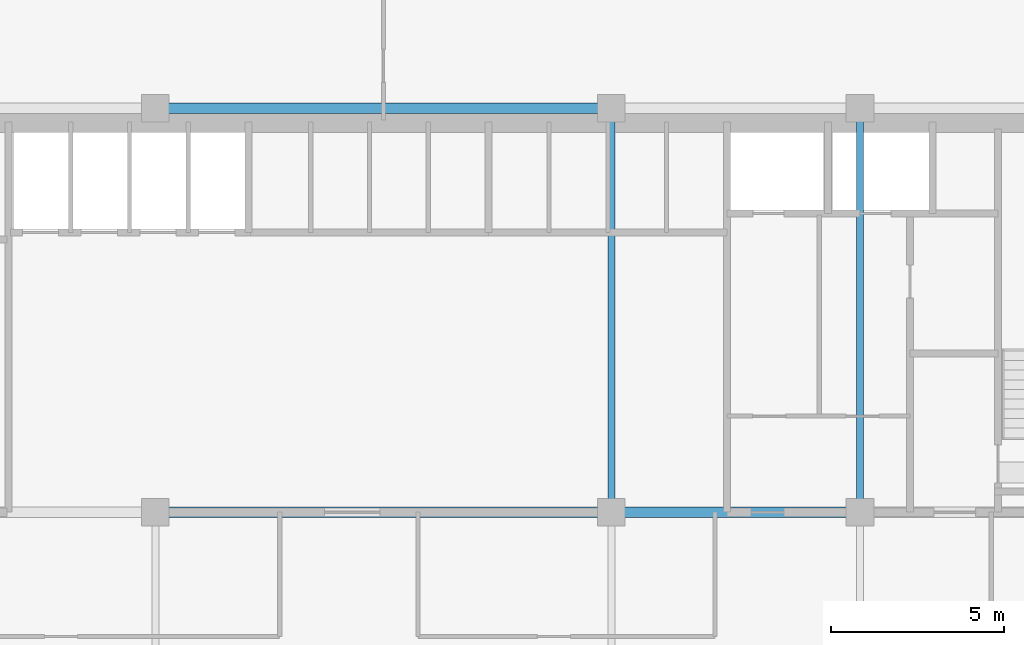
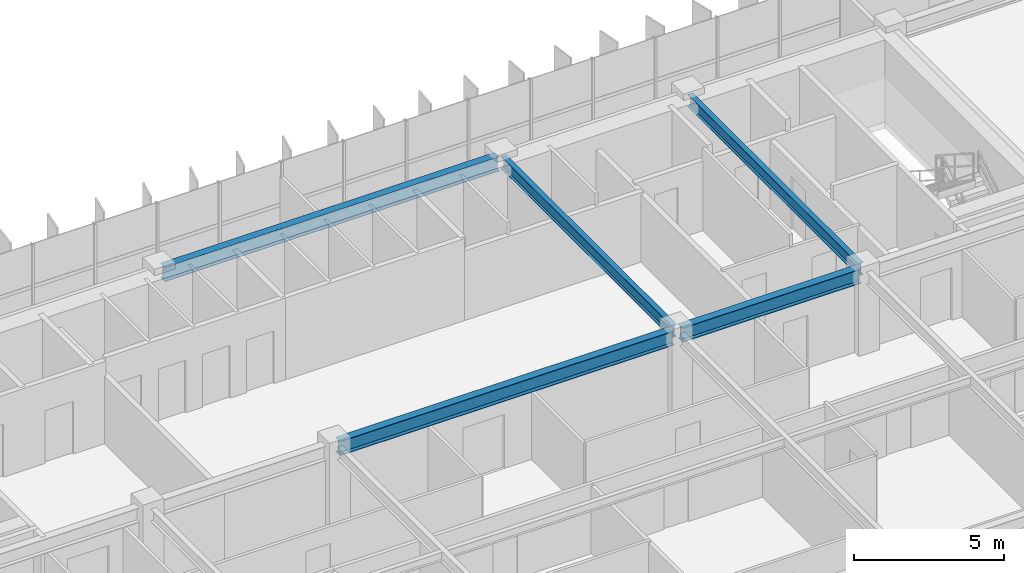
# One storey, part 8 of 21: 5 beams.
"""IFC4 building model written with IfcOpenShell, lengths in metres."""

from ifc_helpers import new_model, si_unit, direction, frame, origin, origin_2d, place, context, subcontext, project, spatial, i_section, extrude, source, transform, mapped, material, material_profile, profile_set, type_object, element, save


model = new_model("IFC4")

# Units and contexts
model_context = context("Model", 3, precision=1e-05, world=origin(), true_north=direction((0.0, 1.0)))
body_context = subcontext(model_context, "Body", "Model", "MODEL_VIEW")
ifc_project = project(units=[si_unit("LENGTHUNIT", "METRE"), si_unit("AREAUNIT", "SQUARE_METRE"), si_unit("VOLUMEUNIT", "CUBIC_METRE"), si_unit("PLANEANGLEUNIT", "RADIAN"), si_unit("MASSUNIT", "GRAM", prefix="KILO")], contexts=[model_context])

# Site, building, storey
site_placement = place(None, origin())
site = spatial("IfcSite", under=ifc_project, at=site_placement, CompositionType="ELEMENT")
building_placement = place(site_placement, origin())
building = spatial("IfcBuilding", under=site, at=building_placement, Name="Trelvane Seafront Commons", CompositionType="ELEMENT")
storey_placement = place(building_placement, frame((0.0, 0.0, 110.5)))
storey = spatial("IfcBuildingStorey", under=building, at=storey_placement, Name="L28", CompositionType="ELEMENT", Elevation=110.5)

# Beams
ifc_material = material(Name="Steel SM355 (S355)", Category="steel")
ifc_material_profile_1 = material_profile(ifc_material, i_section(OverallWidth=0.300048828125, OverallDepth=0.587890625, WebThickness=0.011962890625, FlangeThickness=0.02001953125, at=origin_2d()), Name="H-588x300x12x20")
ifc_profile_set_1 = profile_set([ifc_material_profile_1], Name="Steel SM355 (S355)")
beam_type_1 = type_object("IfcBeamType", Name="STR-BM-H588", PredefinedType="BEAM", material=ifc_profile_set_1)
shared_shape_1 = source(origin(), body_context, "Body", "SweptSolid", [
    extrude(i_section(OverallWidth=0.300048828125, OverallDepth=0.587890625, WebThickness=0.011962890625, FlangeThickness=0.02001953125, at=origin_2d()), origin(), (0.0, 0.0, 1.0), 12.89990234375),
])
for number, where, z_axis, x_axis, name in (
    (1, (30.75, 33.39990234375, 3.0458984375), (1.0, 0.0, 0.0), (0.0, 1.0, 0.0), "L28 Primary Girder G-23"),
    (2, (30.75, 45.10009765625, 3.0458984375), (1.0, 0.0, 0.0), (0.0, 1.0, 0.0), "L28 Primary Girder G-32"),
):
    element("IfcBeam", number, at=place(storey_placement, frame(where, z_axis=z_axis, x_axis=x_axis)), inside=storey, type_object=beam_type_1, Name=name, PredefinedType="BEAM", context=body_context, shape_type="MappedRepresentation", body=[
        mapped(shared_shape_1, transform((0.0, 0.0, 0.0), x_axis=(1.0, 0.0, 0.0), y_axis=(0.0, 1.0, 0.0), z_axis=(0.0, 0.0, 1.0), scale=1.0)),
    ])
shared_shape_2 = source(origin(), body_context, "Body", "SweptSolid", [
    extrude(i_section(OverallWidth=0.300048828125, OverallDepth=0.587890625, WebThickness=0.011962890625, FlangeThickness=0.02001953125, at=origin_2d()), origin(), (0.0, 0.0, 1.0), 6.900146484375),
])
beam_placement = place(storey_placement, frame((43.949951171875, 33.39990234375, 3.0458984375), z_axis=(1.0, 0.0, 0.0), x_axis=(0.0, 1.0, 0.0)))
element("IfcBeam", 3, at=beam_placement, inside=storey, type_object=beam_type_1, Name="L28 Primary Girder G-24", PredefinedType="BEAM", context=body_context, shape_type="MappedRepresentation", body=[
    mapped(shared_shape_2, transform((0.0, 0.0, 0.0), x_axis=(1.0, 0.0, 0.0), y_axis=(0.0, 1.0, 0.0), z_axis=(0.0, 0.0, 1.0), scale=1.0)),
])
ifc_material_profile_2 = material_profile(ifc_material, i_section(OverallWidth=0.199951171875, OverallDepth=0.5, WebThickness=0.010009765625, FlangeThickness=0.01611328125, at=origin_2d()), Name="H-500x200x10x16")
ifc_profile_set_2 = profile_set([ifc_material_profile_2], Name="Steel SM355 (S355)")
beam_type_2 = type_object("IfcBeamType", Name="STR-BM-H500", PredefinedType="BEAM", material=ifc_profile_set_2)
shared_shape_3 = source(origin(), body_context, "Body", "SweptSolid", [
    extrude(i_section(OverallWidth=0.199951171875, OverallDepth=0.5, WebThickness=0.010009765625, FlangeThickness=0.01611328125, at=origin_2d()), origin(), (0.0, 0.0, 1.0), 11.39990234375),
])
for number, where, z_axis, x_axis, name in (
    (4, (43.800048828125, 33.550048828125, 3.090087890625), (0.0, 1.0, 0.0), (-1.0, 0.0, 0.0), "L28 Primary Girder G-54"),
    (5, (51.0, 33.550048828125, 3.090087890625), (0.0, 1.0, 0.0), (-1.0, 0.0, 0.0), "L28 Primary Girder G-57"),
):
    element("IfcBeam", number, at=place(storey_placement, frame(where, z_axis=z_axis, x_axis=x_axis)), inside=storey, type_object=beam_type_2, Name=name, PredefinedType="BEAM", context=body_context, shape_type="MappedRepresentation", body=[
        mapped(shared_shape_3, transform((0.0, 0.0, 0.0), x_axis=(1.0, 0.0, 0.0), y_axis=(0.0, 1.0, 0.0), z_axis=(0.0, 0.0, 1.0), scale=1.0)),
    ])

save(model, "model.ifc")
